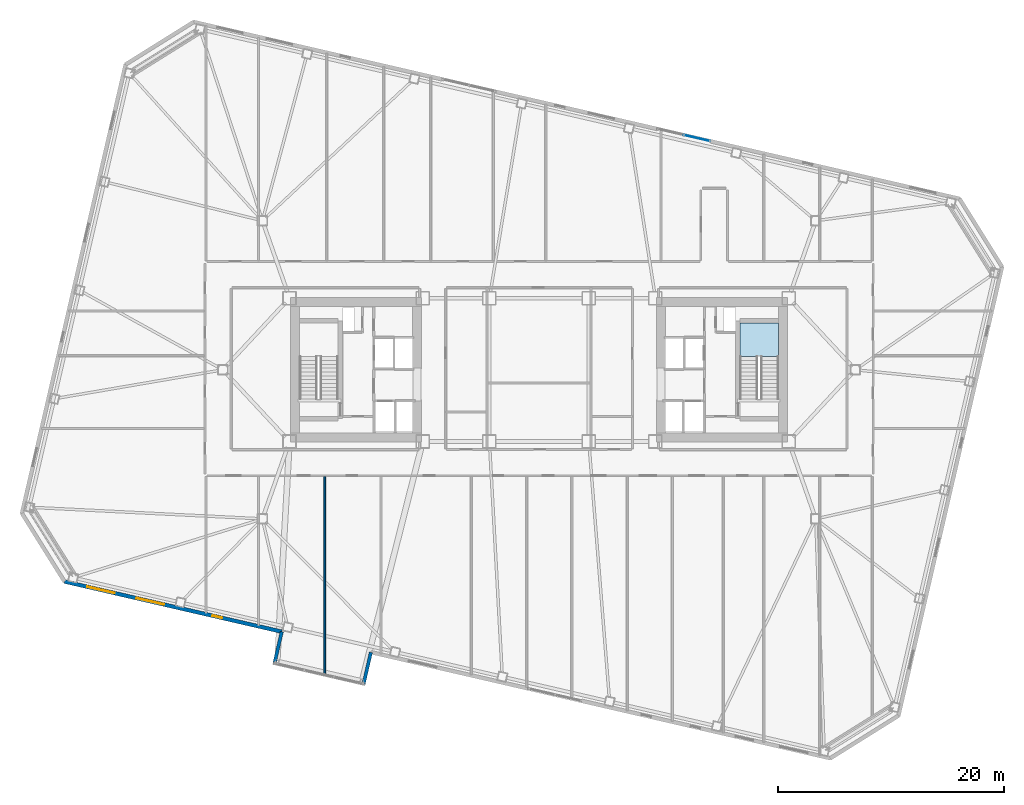
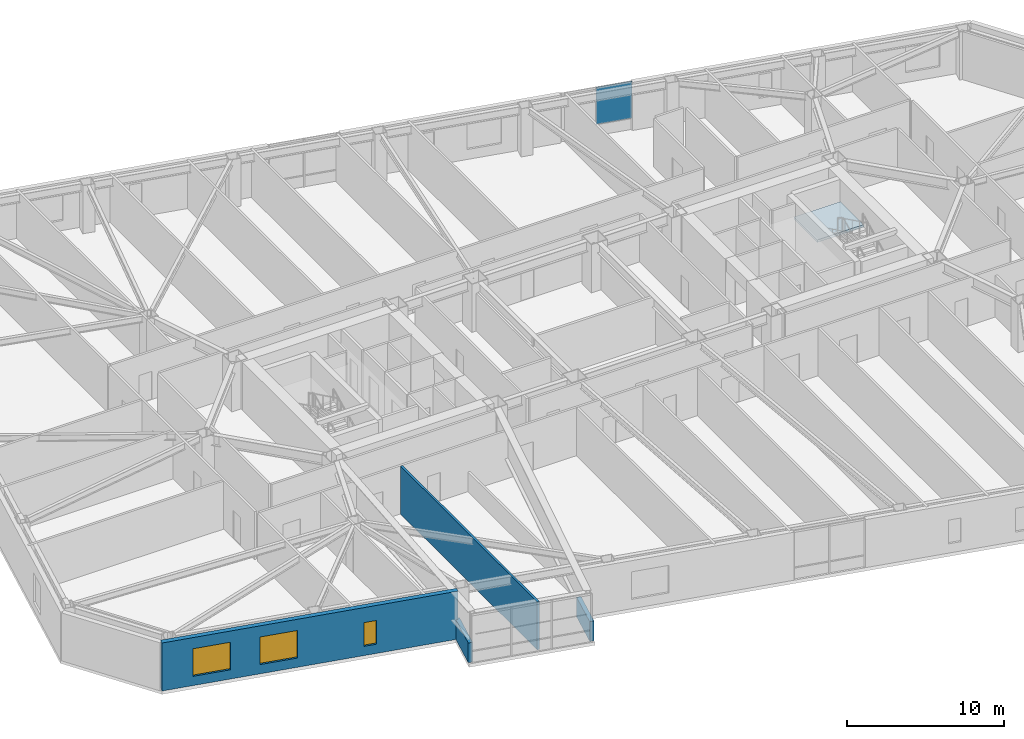
# One storey, part 10 of 21: 4 walls, 3 windows, 1 plate, 1 slab, 3 openings, 2 elements without a shape of their own.
"""IFC4 building model written with IfcOpenShell, lengths in metres."""

from ifc_helpers import new_model, si_unit, direction, frame, frame_2d, origin, origin_2d, place, context, subcontext, project, spatial, polyline, rectangle, outline, extrude, material, layer, layer_set, type_object, element, fill, aggregate, save


model = new_model("IFC4")

# Units and contexts
model_context = context("Model", 3, precision=1e-05, world=origin(), true_north=direction((0.0, 1.0)))
body_context = subcontext(model_context, "Body", "Model", "MODEL_VIEW")
ifc_project = project(units=[si_unit("LENGTHUNIT", "METRE"), si_unit("AREAUNIT", "SQUARE_METRE"), si_unit("VOLUMEUNIT", "CUBIC_METRE"), si_unit("PLANEANGLEUNIT", "RADIAN"), si_unit("MASSUNIT", "GRAM", prefix="KILO")], contexts=[model_context])

# Site, building, storey
site_placement = place(None, origin())
site = spatial("IfcSite", under=ifc_project, at=site_placement, CompositionType="ELEMENT")
building_placement = place(site_placement, origin())
building = spatial("IfcBuilding", under=site, at=building_placement, Name="Tavrogorsk Clinical Tower", CompositionType="ELEMENT")
storey_placement = place(building_placement, frame((0.0, 0.0, 43.39990234375)))
storey = spatial("IfcBuildingStorey", under=building, at=storey_placement, Name="L08", CompositionType="ELEMENT", Elevation=43.39990234375)

# Curtain wall, plate
ifc_material_1 = material(Name="Anodised aluminium and triple IGU glazing", Category="aluminium")
ifc_layer_1 = layer(ifc_material_1, 0.179931640625)
ifc_layer_set_1 = layer_set([ifc_layer_1], Name="Anodised aluminium and triple IGU glazing")
curtain_wall_type = type_object("IfcCurtainWallType", Name="CW2_NorthSlot", PredefinedType="NOTDEFINED", material=ifc_layer_set_1)
curtain_wall_placement = place(storey_placement, origin())
curtain_wall = element("IfcCurtainWall", 1, at=curtain_wall_placement, inside=storey, type_object=curtain_wall_type, Name="L08 Curtain Wall CW-L08-N-SLOT-2", PredefinedType="NOTDEFINED")
ifc_material_2 = material(Name="Triple low-E argon insulated glass", Category="glass")
ifc_layer_2 = layer(ifc_material_2, 0.048095703125)
ifc_layer_set_2 = layer_set([ifc_layer_2], Name="Triple low-E argon insulated glass")
plate_type = type_object("IfcPlateType", Name="CwVisionGlassPanel_48", PredefinedType="CURTAIN_PANEL", material=ifc_layer_set_2)
plate_placement = place(storey_placement, frame((13.996337890625, 20.513427734375, 0.862060546875), z_axis=(0.0, 0.0, 1.0), x_axis=(-0.974370046851, 0.224951132027, 0.0)))
plate = element("IfcPlate", 2, at=plate_placement, type_object=plate_type, Name="CW-L08-N-SLOT-2 Glazing Panel 1", PredefinedType="CURTAIN_PANEL", context=body_context, shape_type="SweptSolid", body=[
    extrude(rectangle(XDim=2.39208984375, YDim=0.048095703125, at=origin_2d()), origin(), (0.0, 0.0, 1.0), 2.8759765625),
])
aggregate(curtain_wall, [plate])

# Stair, slab
ifc_material_3 = material(Name="Concrete B60", Category="concrete")
stair_type = type_object("IfcStairType", Name="CoreStairAssembly", PredefinedType="HALF_TURN_STAIR", material=ifc_material_3)
stair_placement = place(storey_placement, origin())
stair = element("IfcStair", 3, at=stair_placement, inside=storey, type_object=stair_type, Name="L08 ST-E", PredefinedType="HALF_TURN_STAIR")
ifc_material_4 = material(Name="Concrete B60", Category="concrete")
ifc_layer_3 = layer(ifc_material_4, 0.199951171875)
ifc_layer_set_3 = layer_set([ifc_layer_3], Name="Concrete B60")
slab_type = type_object("IfcSlabType", Name="StairLanding_200", PredefinedType="LANDING", material=ifc_layer_set_3)
slab_placement = place(storey_placement, frame((0.0, 0.0, 1.800048828125)))
slab = element("IfcSlab", 4, at=slab_placement, type_object=slab_type, Name="ST-E landing 1", PredefinedType="LANDING", context=body_context, shape_type="SweptSolid", body=[
    extrude(outline(polyline([(21.199951171875, 1.1650390625), (21.199951171875, 4.125), (17.800048828125, 4.125), (17.800048828125, 1.1650390625), (21.199951171875, 1.1650390625)])), origin(), (0.0, 0.0, 1.0), 0.199951171875),
])
aggregate(stair, [slab])

# Wall
ifc_material_5 = material(Name="Lightweight concrete blockwork B15", Category="masonry")
ifc_layer_4 = layer(ifc_material_5, 0.159912109375)
ifc_layer_set_4 = layer_set([ifc_layer_4], Name="Lightweight concrete blockwork B15")
wall_type_1 = type_object("IfcWallType", Name="PartitionWall_160", PredefinedType="PARTITIONING", material=ifc_layer_set_4)
wall_1_placement = place(storey_placement, frame((-18.97509765625, -26.92529296875, 0.0), z_axis=(0.0, 0.0, 1.0), x_axis=(0.0, 1.0, 0.0)))
element("IfcWall", 5, at=wall_1_placement, inside=storey, type_object=wall_type_1, Name="L08 South Sub-Partition 2", PredefinedType="PARTITIONING", context=body_context, shape_type="SweptSolid", body=[
    extrude(rectangle(XDim=17.460205078125, YDim=0.159912109375, at=frame_2d((8.72998046875, 0.0))), origin(), (0.0, 0.0, 1.0), 3.739990234375),
])

# Wall, openings, windows
ifc_material_6 = material(Name="Precast concrete B45 with limestone cladding", Category="masonry")
ifc_layer_5 = layer(ifc_material_6, 0.340087890625)
ifc_layer_set_5 = layer_set([ifc_layer_5], Name="Precast concrete B45 with limestone cladding")
wall_type_2 = type_object("IfcWallType", Name="PrecastLimestoneWall_340", PredefinedType="STANDARD", material=ifc_layer_set_5)
wall_2_placement = place(storey_placement, frame((-42.028564453125, -18.75, 0.0), z_axis=(0.0, 0.0, 1.0), x_axis=(0.974371399361, -0.224945273581, 0.0)))
wall_2 = element("IfcWall", 6, at=wall_2_placement, inside=storey, type_object=wall_type_2, Name="L08 S Limestone Facade Wall 1", PredefinedType="STANDARD", context=body_context, shape_type="SweptSolid", body=[
    extrude(rectangle(XDim=19.749755859375, YDim=0.340087890625, at=frame_2d((9.875, 0.0))), origin(), (0.0, 0.0, 1.0), 3.739990234375),
])
opening_1_placement = place(wall_2_placement, frame((2.06201171875, 0.0, 0.719970703125)))
opening_1 = element("IfcOpeningElement", 7, at=opening_1_placement, cuts=wall_2, Name="Opening WN-11", PredefinedType="OPENING", context=body_context, shape_type="SweptSolid", body=[
    extrude(rectangle(XDim=2.5, YDim=2.14990234375, at=frame_2d((1.25, 1.074951171875))), frame((0.0, 0.179931640625, 0.0), z_axis=(0.0, -1.0, 0.0), x_axis=(1.0, 0.0, 0.0)), (0.0, 0.0, 1.0), 0.360107421875),
])
opening_2_placement = place(wall_2_placement, frame((6.54638671875, 0.0, 0.719970703125)))
opening_2 = element("IfcOpeningElement", 8, at=opening_2_placement, cuts=wall_2, Name="Opening WN-11", PredefinedType="OPENING", context=body_context, shape_type="SweptSolid", body=[
    extrude(rectangle(XDim=2.5, YDim=2.14990234375, at=frame_2d((1.25, 1.074951171875))), frame((0.0, 0.179931640625, 0.0), z_axis=(0.0, -1.0, 0.0), x_axis=(1.0, 0.0, 0.0)), (0.0, 0.0, 1.0), 0.360107421875),
])
opening_3_placement = place(wall_2_placement, frame((13.460693359375, 0.0, 0.719970703125)))
opening_3 = element("IfcOpeningElement", 9, at=opening_3_placement, cuts=wall_2, Name="Opening WN-06", PredefinedType="OPENING", context=body_context, shape_type="SweptSolid", body=[
    extrude(rectangle(XDim=0.85009765625, YDim=1.85009765625, at=frame_2d((0.425048828125, 0.925048828125))), frame((0.0, 0.179931640625, 0.0), z_axis=(0.0, -1.0, 0.0), x_axis=(1.0, 0.0, 0.0)), (0.0, 0.0, 1.0), 0.360107421875),
])
ifc_material_7 = material(Name="Thermally broken aluminium frame and triple IGU", Category="aluminium")
window_type_1 = type_object("IfcWindowType", Name="MullionSubWin_850x1850", PartitioningType="SINGLE_PANEL", PredefinedType="WINDOW", material=ifc_material_7)
window_1_placement = place(opening_3_placement, origin())
window_1 = element("IfcWindow", 10, at=window_1_placement, inside=storey, type_object=window_type_1, Name="L08 S Mullion Split Window 03B", OverallHeight=1.85009765625, OverallWidth=0.85009765625, PartitioningType="SINGLE_PANEL", PredefinedType="WINDOW", context=body_context, shape_type="SweptSolid", body=[
    extrude(rectangle(XDim=0.85009765625, YDim=1.85009765625, at=frame_2d((0.425048828125, 0.925048828125))), frame((0.0, 0.030029296875, 0.0), z_axis=(0.0, -1.0, 0.0), x_axis=(1.0, 0.0, 0.0)), (0.0, 0.0, 1.0), 0.06005859375),
])
fill(opening_3, window_1)
ifc_material_8 = material(Name="Thermally broken aluminium frame and triple IGU", Category="aluminium")
window_type_2 = type_object("IfcWindowType", Name="StepDownWin_2500x2150", PartitioningType="TRIPLE_PANEL_HORIZONTAL", PredefinedType="WINDOW", material=ifc_material_8)
window_2_placement = place(opening_1_placement, origin())
window_2 = element("IfcWindow", 11, at=window_2_placement, inside=storey, type_object=window_type_2, Name="L08 S Chicago Window 01", OverallHeight=2.14990234375, OverallWidth=2.5, PartitioningType="SINGLE_PANEL", PredefinedType="WINDOW", context=body_context, shape_type="SweptSolid", body=[
    extrude(rectangle(XDim=2.5, YDim=2.14990234375, at=frame_2d((1.25, 1.074951171875))), frame((0.0, 0.030029296875, 0.0), z_axis=(0.0, -1.0, 0.0), x_axis=(1.0, 0.0, 0.0)), (0.0, 0.0, 1.0), 0.06005859375),
])
fill(opening_1, window_2)
window_3_placement = place(opening_2_placement, origin())
window_3 = element("IfcWindow", 12, at=window_3_placement, inside=storey, type_object=window_type_2, Name="L08 S Chicago Window 02", OverallHeight=2.14990234375, OverallWidth=2.5, PartitioningType="SINGLE_PANEL", PredefinedType="WINDOW", context=body_context, shape_type="SweptSolid", body=[
    extrude(rectangle(XDim=2.5, YDim=2.14990234375, at=frame_2d((1.25, 1.074951171875))), frame((0.0, 0.030029296875, 0.0), z_axis=(0.0, -1.0, 0.0), x_axis=(1.0, 0.0, 0.0)), (0.0, 0.0, 1.0), 0.06005859375),
])
fill(opening_2, window_3)

# Walls
ifc_material_9 = material(Name="Precast concrete B45 with mineral wool", Category="concrete")
ifc_layer_6 = layer(ifc_material_9, 0.300048828125)
ifc_layer_set_6 = layer_set([ifc_layer_6], Name="Precast concrete B45 with mineral wool")
wall_type_3 = type_object("IfcWallType", Name="SpandrelBackWall_300", PredefinedType="STANDARD", material=ifc_layer_set_6)
wall_3_placement = place(storey_placement, frame((-22.78466796875, -23.192626953125, 0.0), z_axis=(0.0, 0.0, 1.0), x_axis=(-0.224983749842, -0.974362515857, 0.0)))
element("IfcWall", 13, at=wall_3_placement, inside=storey, type_object=wall_type_3, Name="L08 Day-Room Cheek Wall DRB-01-L", PredefinedType="STANDARD", context=body_context, shape_type="SweptSolid", body=[
    extrude(rectangle(XDim=2.8701171875, YDim=0.300048828125, at=frame_2d((1.43505859375, 0.0))), origin(), (0.0, 0.0, 1.0), 1.53515625),
])
wall_4_placement = place(storey_placement, frame((-14.892333984375, -25.014892578125, 0.0), z_axis=(0.0, 0.0, 1.0), x_axis=(-0.225002397841, -0.97435820978, 0.0)))
element("IfcWall", 14, at=wall_4_placement, inside=storey, type_object=wall_type_3, Name="L08 Day-Room Cheek Wall DRB-01-R", PredefinedType="STANDARD", context=body_context, shape_type="SweptSolid", body=[
    extrude(rectangle(XDim=2.869873046875, YDim=0.300048828125, at=frame_2d((1.43505859375, 0.0))), origin(), (0.0, 0.0, 1.0), 1.53515625),
])

save(model, "model.ifc")
